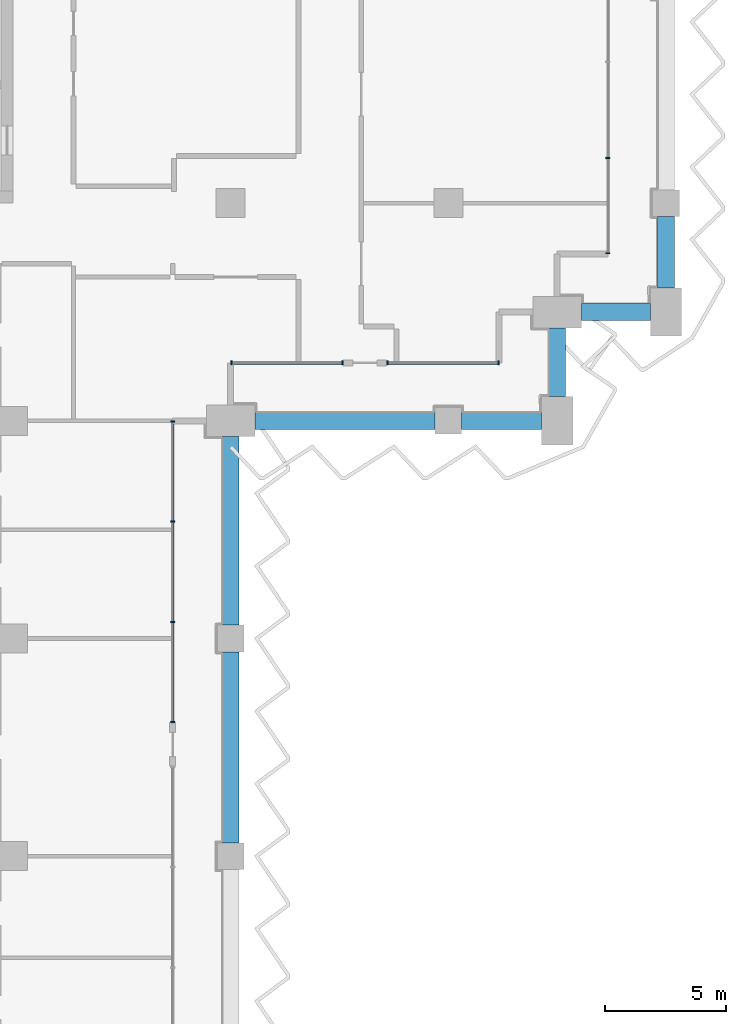
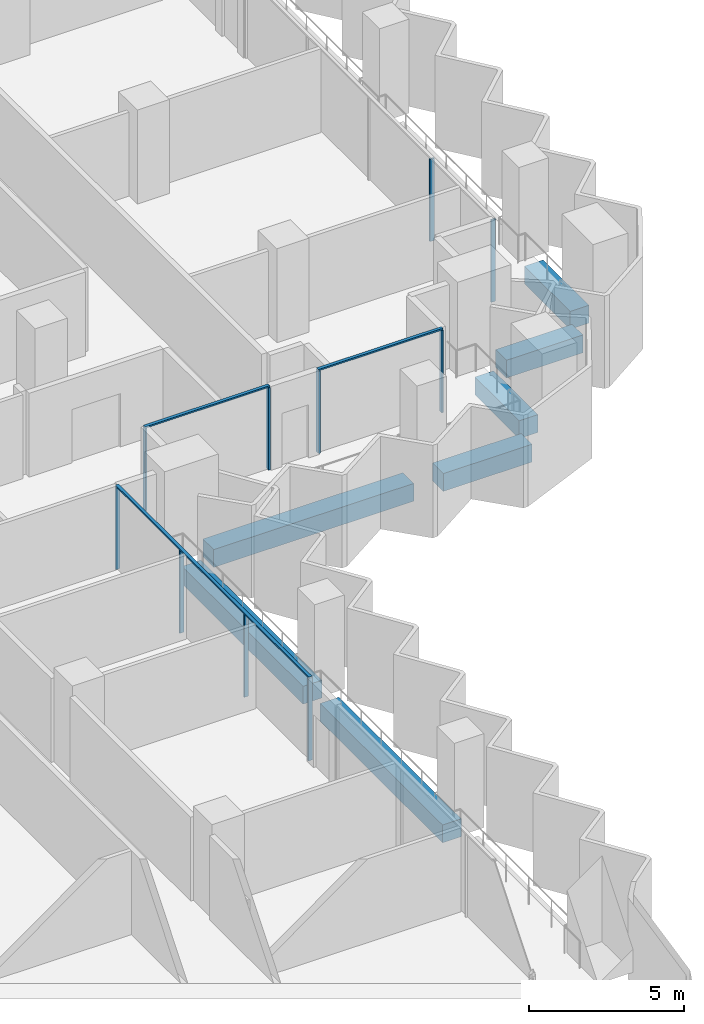
# One storey, part 4 of 22: 13 members, 7 beams, 4 elements without a shape of their own.
"""IFC4 building model written with IfcOpenShell, lengths in metres."""

from ifc_helpers import new_model, si_unit, direction, frame, origin, origin_2d, place, context, subcontext, project, spatial, rectangle, extrude, material, material_profile, profile_set, type_object, element, aggregate, save


model = new_model("IFC4")

# Units and contexts
model_context = context("Model", 3, precision=1e-05, world=origin(), true_north=direction((0.0, 1.0)))
body_context = subcontext(model_context, "Body", "Model", "MODEL_VIEW")
ifc_project = project(units=[si_unit("LENGTHUNIT", "METRE"), si_unit("AREAUNIT", "SQUARE_METRE"), si_unit("VOLUMEUNIT", "CUBIC_METRE"), si_unit("PLANEANGLEUNIT", "RADIAN"), si_unit("MASSUNIT", "GRAM", prefix="KILO")], contexts=[model_context])

# Site, building, storey
site_placement = place(None, origin())
site = spatial("IfcSite", under=ifc_project, at=site_placement, CompositionType="ELEMENT")
building_placement = place(site_placement, origin())
building = spatial("IfcBuilding", under=site, at=building_placement, Name="Hunhe Ridgeline Campus", CompositionType="ELEMENT")
storey_placement = place(building_placement, frame((0.0, 0.0, 141.199951171875)))
storey = spatial("IfcBuildingStorey", under=building, at=storey_placement, Name="L35", CompositionType="ELEMENT", Elevation=141.199951171875)

# Curtain wall, members
ifc_material_1 = material(Name="Aluminium 6063", Category="aluminium")
curtain_wall_type = type_object("IfcCurtainWallType", Name="Curtain wall CW-1", PredefinedType="NOTDEFINED", material=ifc_material_1)
curtain_wall_1_placement = place(storey_placement, origin())
curtain_wall_1 = element("IfcCurtainWall", 1, at=curtain_wall_1_placement, inside=storey, type_object=curtain_wall_type, Name="Curtain wall 12", PredefinedType="NOTDEFINED")
ifc_material_profile_1 = material_profile(ifc_material_1, rectangle(XDim=0.159912109375, YDim=0.06005859375, at=origin_2d()))
ifc_profile_set_1 = profile_set([ifc_material_profile_1], Name="Aluminium 6063")
member_type_1 = type_object("IfcMemberType", Name="CW-1 aluminium mullion", PredefinedType="MULLION", material=ifc_profile_set_1)
member_1_placement = place(storey_placement, frame((42.59912109375, 41.548583984375, 0.0), z_axis=(0.0, 0.0, 1.0), x_axis=(-0.99999999999, 4.406345e-06, 0.0)))
member_1 = element("IfcMember", 2, at=member_1_placement, type_object=member_type_1, Name="CW-1 mullion 1", PredefinedType="MULLION", context=body_context, shape_type="SweptSolid", body=[
    extrude(rectangle(XDim=0.159912109375, YDim=0.06005859375, at=origin_2d()), origin(), (0.0, 0.0, 1.0), 3.239990234375),
])
member_2_placement = place(storey_placement, frame((42.59912109375, 45.67919921875, 0.0), z_axis=(0.0, 0.0, 1.0), x_axis=(-0.99999999999, 4.406345e-06, 0.0)))
member_2 = element("IfcMember", 3, at=member_2_placement, type_object=member_type_1, Name="CW-1 mullion 2", PredefinedType="MULLION", context=body_context, shape_type="SweptSolid", body=[
    extrude(rectangle(XDim=0.159912109375, YDim=0.06005859375, at=origin_2d()), origin(), (0.0, 0.0, 1.0), 3.239990234375),
])
member_3_placement = place(storey_placement, frame((42.59912109375, 49.83984375, 0.0), z_axis=(0.0, 0.0, 1.0), x_axis=(-0.99999999999, 4.406345e-06, 0.0)))
member_3 = element("IfcMember", 4, at=member_3_placement, type_object=member_type_1, Name="CW-1 mullion 3", PredefinedType="MULLION", context=body_context, shape_type="SweptSolid", body=[
    extrude(rectangle(XDim=0.159912109375, YDim=0.06005859375, at=origin_2d()), origin(), (0.0, 0.0, 1.0), 3.239990234375),
])
member_4_placement = place(storey_placement, frame((42.59912109375, 53.970458984375, 0.0), z_axis=(0.0, 0.0, 1.0), x_axis=(-0.99999999999, 4.406345e-06, 0.0)))
member_4 = element("IfcMember", 5, at=member_4_placement, type_object=member_type_1, Name="CW-1 mullion 4", PredefinedType="MULLION", context=body_context, shape_type="SweptSolid", body=[
    extrude(rectangle(XDim=0.159912109375, YDim=0.06005859375, at=origin_2d()), origin(), (0.0, 0.0, 1.0), 3.239990234375),
])

curtain_wall_2_placement = place(storey_placement, origin())
curtain_wall_2 = element("IfcCurtainWall", 6, at=curtain_wall_2_placement, inside=storey, type_object=curtain_wall_type, Name="Curtain wall 13", PredefinedType="NOTDEFINED")
member_5_placement = place(storey_placement, frame((45.02978515625, 56.40087890625, 0.0), z_axis=(0.0, 0.0, 1.0), x_axis=(-1.72058e-06, 0.999999999999, 0.0)))
member_5 = element("IfcMember", 7, at=member_5_placement, type_object=member_type_1, Name="CW-1 mullion 1", PredefinedType="MULLION", context=body_context, shape_type="SweptSolid", body=[
    extrude(rectangle(XDim=0.159912109375, YDim=0.06005859375, at=origin_2d()), origin(), (0.0, 0.0, 1.0), 3.239990234375),
])
member_6_placement = place(storey_placement, frame((49.619384765625, 56.40087890625, 0.0), z_axis=(0.0, 0.0, 1.0), x_axis=(-1.72058e-06, 0.999999999999, 0.0)))
member_6 = element("IfcMember", 8, at=member_6_placement, type_object=member_type_1, Name="CW-1 mullion 2", PredefinedType="MULLION", context=body_context, shape_type="SweptSolid", body=[
    extrude(rectangle(XDim=0.159912109375, YDim=0.06005859375, at=origin_2d()), origin(), (0.0, 0.0, 1.0), 3.239990234375),
])

curtain_wall_3_placement = place(storey_placement, origin())
curtain_wall_3 = element("IfcCurtainWall", 9, at=curtain_wall_3_placement, inside=storey, type_object=curtain_wall_type, Name="Curtain wall 14", PredefinedType="NOTDEFINED")
member_7_placement = place(storey_placement, frame((51.4794921875, 56.40087890625, 0.0), z_axis=(0.0, 0.0, 1.0), x_axis=(-1.72058e-06, 0.999999999999, 0.0)))
member_7 = element("IfcMember", 10, at=member_7_placement, type_object=member_type_1, Name="CW-1 mullion 1", PredefinedType="MULLION", context=body_context, shape_type="SweptSolid", body=[
    extrude(rectangle(XDim=0.159912109375, YDim=0.06005859375, at=origin_2d()), origin(), (0.0, 0.0, 1.0), 3.239990234375),
])
member_8_placement = place(storey_placement, frame((56.069091796875, 56.40087890625, 0.0), z_axis=(0.0, 0.0, 1.0), x_axis=(-1.72058e-06, 0.999999999999, 0.0)))
member_8 = element("IfcMember", 11, at=member_8_placement, type_object=member_type_1, Name="CW-1 mullion 2", PredefinedType="MULLION", context=body_context, shape_type="SweptSolid", body=[
    extrude(rectangle(XDim=0.159912109375, YDim=0.06005859375, at=origin_2d()), origin(), (0.0, 0.0, 1.0), 3.239990234375),
])

curtain_wall_4_placement = place(storey_placement, origin())
curtain_wall_4 = element("IfcCurtainWall", 12, at=curtain_wall_4_placement, inside=storey, type_object=curtain_wall_type, Name="Curtain wall 15", PredefinedType="NOTDEFINED")
member_9_placement = place(storey_placement, frame((60.59912109375, 60.930908203125, 0.0), z_axis=(0.0, 0.0, 1.0), x_axis=(-1.0, 0.0, 0.0)))
member_9 = element("IfcMember", 13, at=member_9_placement, type_object=member_type_1, Name="CW-1 mullion 1", PredefinedType="MULLION", context=body_context, shape_type="SweptSolid", body=[
    extrude(rectangle(XDim=0.159912109375, YDim=0.06005859375, at=origin_2d()), origin(), (0.0, 0.0, 1.0), 3.239990234375),
])
member_10_placement = place(storey_placement, frame((60.59912109375, 64.8759765625, 0.0), z_axis=(0.0, 0.0, 1.0), x_axis=(-1.0, 0.0, 0.0)))
member_10 = element("IfcMember", 14, at=member_10_placement, type_object=member_type_1, Name="CW-1 mullion 2", PredefinedType="MULLION", context=body_context, shape_type="SweptSolid", body=[
    extrude(rectangle(XDim=0.159912109375, YDim=0.06005859375, at=origin_2d()), origin(), (0.0, 0.0, 1.0), 3.239990234375),
])
aggregate(curtain_wall_4, [member_9, member_10])

# Member
ifc_material_profile_2 = material_profile(ifc_material_1, rectangle(XDim=0.1201171875, YDim=0.06005859375, at=origin_2d()))
ifc_profile_set_2 = profile_set([ifc_material_profile_2], Name="Aluminium 6063")
member_type_2 = type_object("IfcMemberType", Name="CW-1 aluminium transom", PredefinedType="USERDEFINED", material=ifc_profile_set_2)
member_11_placement = place(storey_placement, frame((42.59912109375, 41.5185546875, 3.27001953125), z_axis=(0.0, 1.0, 0.0), x_axis=(-1.0, 0.0, 0.0)))
member_11 = element("IfcMember", 15, at=member_11_placement, type_object=member_type_2, Name="CW-1 transom 1", ObjectType="TRANSOM", PredefinedType="USERDEFINED", context=body_context, shape_type="SweptSolid", body=[
    extrude(rectangle(XDim=0.1201171875, YDim=0.06005859375, at=origin_2d()), origin(), (0.0, 0.0, 1.0), 12.48193359375),
])

aggregate(curtain_wall_1, [member_11, member_1, member_2, member_3, member_4])

member_12_placement = place(storey_placement, frame((44.999755859375, 56.40087890625, 3.27001953125), z_axis=(1.0, 0.0, 0.0), x_axis=(0.0, 1.0, 0.0)))
member_12 = element("IfcMember", 16, at=member_12_placement, type_object=member_type_2, Name="CW-1 transom 1", ObjectType="TRANSOM", PredefinedType="USERDEFINED", context=body_context, shape_type="SweptSolid", body=[
    extrude(rectangle(XDim=0.1201171875, YDim=0.06005859375, at=origin_2d()), origin(), (0.0, 0.0, 1.0), 4.649658203125),
])

aggregate(curtain_wall_2, [member_12, member_5, member_6])

member_13_placement = place(storey_placement, frame((51.449462890625, 56.40087890625, 3.27001953125), z_axis=(1.0, 0.0, 0.0), x_axis=(0.0, 1.0, 0.0)))
member_13 = element("IfcMember", 17, at=member_13_placement, type_object=member_type_2, Name="CW-1 transom 1", ObjectType="TRANSOM", PredefinedType="USERDEFINED", context=body_context, shape_type="SweptSolid", body=[
    extrude(rectangle(XDim=0.1201171875, YDim=0.06005859375, at=origin_2d()), origin(), (0.0, 0.0, 1.0), 4.649658203125),
])

aggregate(curtain_wall_3, [member_13, member_7, member_8])

# Beams
ifc_material_2 = material(Name="Concrete C60", Category="concrete")
ifc_material_profile_3 = material_profile(ifc_material_2, rectangle(XDim=0.699951171875, YDim=0.699951171875, at=origin_2d()))
ifc_profile_set_3 = profile_set([ifc_material_profile_3], Name="Concrete C60")
beam_type = type_object("IfcBeamType", Name="RC spandrel beam 700x700 Concrete C60", PredefinedType="SPANDREL", material=ifc_profile_set_3)
beam_1_placement = place(storey_placement, frame((45.0, 36.550048828125, -0.599853515625), z_axis=(0.0, 1.0, 0.0), x_axis=(-1.0, 0.0, 0.0)))
element("IfcBeam", 18, at=beam_1_placement, inside=storey, type_object=beam_type, Name="Spandrel beam B2-10 L35", PredefinedType="SPANDREL", context=body_context, shape_type="SweptSolid", body=[
    extrude(rectangle(XDim=0.699951171875, YDim=0.699951171875, at=origin_2d()), origin(), (0.0, 0.0, 1.0), 7.89990234375),
])
beam_2_placement = place(storey_placement, frame((45.0, 45.550048828125, -0.599853515625), z_axis=(0.0, 1.0, 0.0), x_axis=(-1.0, 0.0, 0.0)))
element("IfcBeam", 19, at=beam_2_placement, inside=storey, type_object=beam_type, Name="Spandrel beam B2-11 L35", PredefinedType="SPANDREL", context=body_context, shape_type="SweptSolid", body=[
    extrude(rectangle(XDim=0.699951171875, YDim=0.699951171875, at=origin_2d()), origin(), (0.0, 0.0, 1.0), 7.800048828125),
])
beam_3_placement = place(storey_placement, frame((46.0, 54.0, -0.599853515625), z_axis=(1.0, 0.0, 0.0), x_axis=(0.0, 1.0, 0.0)))
element("IfcBeam", 20, at=beam_3_placement, inside=storey, type_object=beam_type, Name="Spandrel beam B2-12 L35", PredefinedType="SPANDREL", context=body_context, shape_type="SweptSolid", body=[
    extrude(rectangle(XDim=0.699951171875, YDim=0.699951171875, at=origin_2d()), origin(), (0.0, 0.0, 1.0), 7.449951171875),
])
beam_4_placement = place(storey_placement, frame((54.550048828125, 54.0, -0.599853515625), z_axis=(1.0, 0.0, 0.0), x_axis=(0.0, 1.0, 0.0)))
element("IfcBeam", 21, at=beam_4_placement, inside=storey, type_object=beam_type, Name="Spandrel beam B2-13 L35", PredefinedType="SPANDREL", context=body_context, shape_type="SweptSolid", body=[
    extrude(rectangle(XDim=0.699951171875, YDim=0.699951171875, at=origin_2d()), origin(), (0.0, 0.0, 1.0), 3.300048828125),
])
for number, where, z_axis, x_axis, name in (
    (22, (58.5, 55.0, -0.599853515625), (0.0, 1.0, 0.0), (-1.0, 0.0, 0.0), "Spandrel beam B2-14 L35"),
    (23, (59.5, 58.5, -0.599853515625), (1.0, 0.0, 0.0), (0.0, 1.0, 0.0), "Spandrel beam B2-15 L35"),
):
    element("IfcBeam", number, at=place(storey_placement, frame(where, z_axis=z_axis, x_axis=x_axis)), inside=storey, type_object=beam_type, Name=name, PredefinedType="SPANDREL", context=body_context, shape_type="SweptSolid", body=[
        extrude(rectangle(XDim=0.699951171875, YDim=0.699951171875, at=origin_2d()), origin(), (0.0, 0.0, 1.0), 2.85009765625),
    ])
beam_5_placement = place(storey_placement, frame((63.0, 59.5, -0.599853515625), z_axis=(0.0, 1.0, 0.0), x_axis=(-1.0, 0.0, 0.0)))
element("IfcBeam", 24, at=beam_5_placement, inside=storey, type_object=beam_type, Name="Spandrel beam B2-16 L35", PredefinedType="SPANDREL", context=body_context, shape_type="SweptSolid", body=[
    extrude(rectangle(XDim=0.699951171875, YDim=0.699951171875, at=origin_2d()), origin(), (0.0, 0.0, 1.0), 2.949951171875),
])

save(model, "model.ifc")
